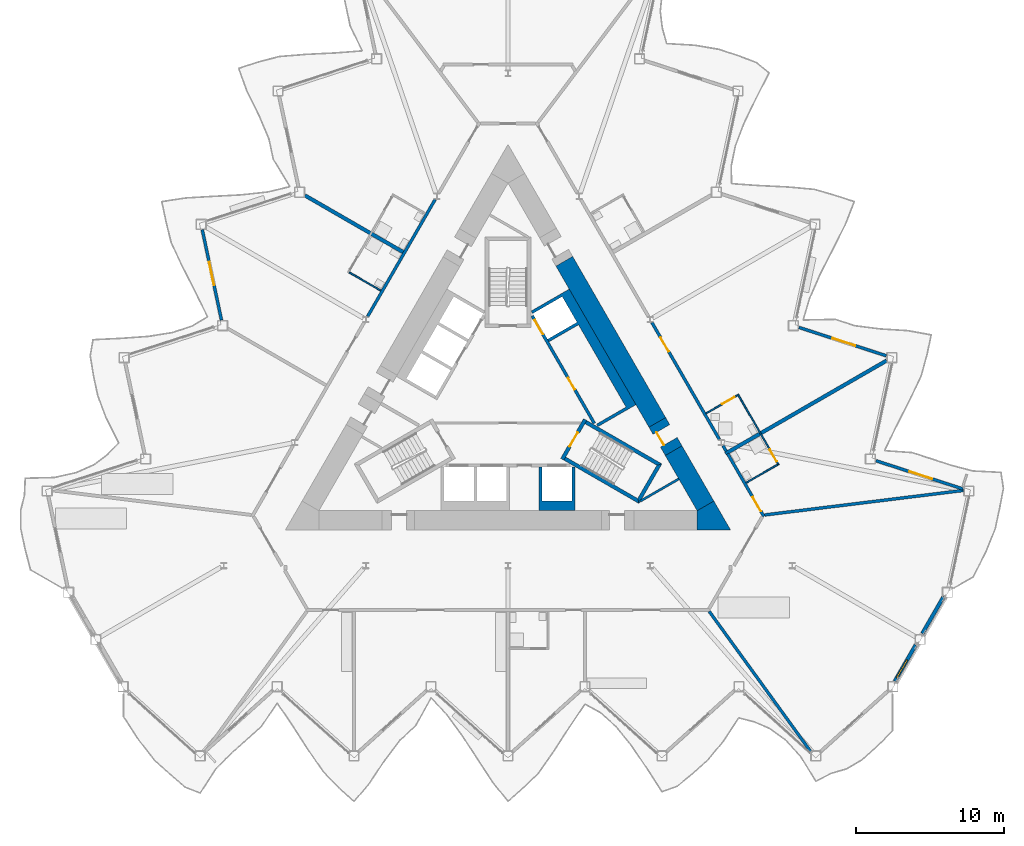
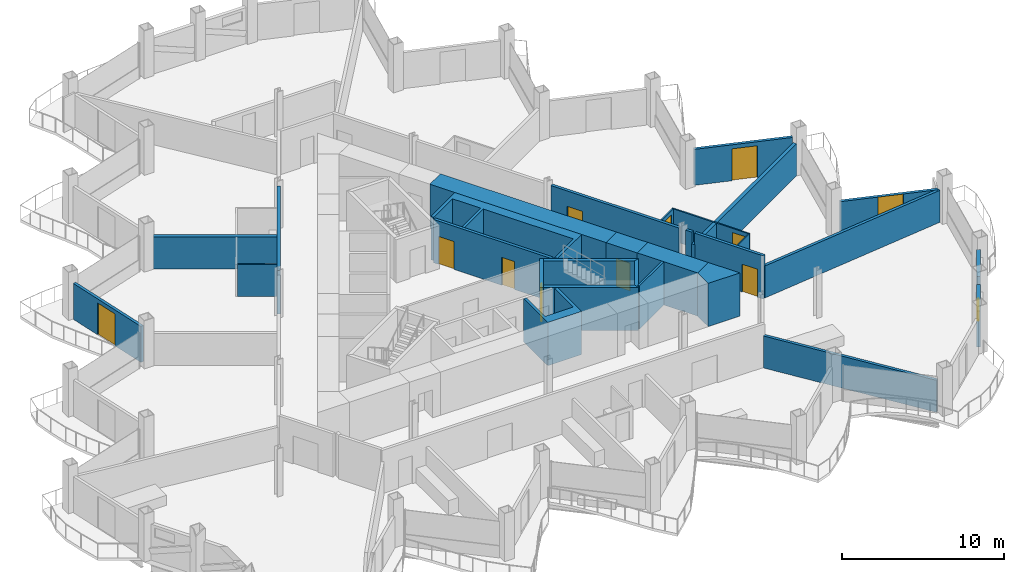
# One storey, part 13 of 24: 29 walls, 11 doors, 1 window, 12 openings.
"""IFC4 building model written with IfcOpenShell, lengths in metres."""

from ifc_helpers import new_model, si_unit, direction, frame, frame_2d, origin, place, context, subcontext, project, spatial, polyline, rectangle, outline, extrude, material, layer, layer_set, type_object, element, fill, save


model = new_model("IFC4")

# Units and contexts
model_context = context("Model", 3, precision=1e-05, world=origin(), true_north=direction((0.0, 1.0)))
body_context = subcontext(model_context, "Body", "Model", "MODEL_VIEW")
ifc_project = project(units=[si_unit("LENGTHUNIT", "METRE"), si_unit("AREAUNIT", "SQUARE_METRE"), si_unit("VOLUMEUNIT", "CUBIC_METRE"), si_unit("PLANEANGLEUNIT", "RADIAN"), si_unit("MASSUNIT", "GRAM", prefix="KILO")], contexts=[model_context])

# Site, building, storey
site_placement = place(None, origin())
site = spatial("IfcSite", under=ifc_project, at=site_placement, CompositionType="ELEMENT")
building_placement = place(site_placement, origin())
building = spatial("IfcBuilding", under=site, at=building_placement, Name="Cormorant Prow Tower", CompositionType="ELEMENT")
storey_placement = place(building_placement, frame((0.0, 0.0, 270.60009765625)))
storey = spatial("IfcBuildingStorey", under=building, at=storey_placement, Name="L61", CompositionType="ELEMENT", Elevation=270.60009765625)

# Walls
ifc_material_1 = material(Name="Gypsum board partition")
ifc_layer_1 = layer(ifc_material_1, 0.14990234375)
ifc_layer_set_1 = layer_set([ifc_layer_1], Name="Gypsum board partition")
wall_type_1 = type_object("IfcWallType", Name="Core partition 150", PredefinedType="PARTITIONING", material=ifc_layer_set_1)
wall_1_placement = place(storey_placement, frame((11.511474609375, -5.2177734375, 0.0), z_axis=(0.0, 0.0, 1.0), x_axis=(-0.866045649925, -0.499964931016, 0.0)))
element("IfcWall", 1, at=wall_1_placement, inside=storey, type_object=wall_type_1, Name="Service room partition", PredefinedType="PARTITIONING", context=body_context, shape_type="SweptSolid", body=[
    extrude(rectangle(XDim=2.992431640625, YDim=0.14990234375, at=frame_2d((1.49609375, 0.0))), origin(), (0.0, 0.0, 1.0), 3.25),
])
ifc_material_2 = material(Name="Concrete 8000 psi", Category="concrete")
ifc_layer_2 = layer(ifc_material_2, 1.300048828125)
ifc_layer_set_2 = layer_set([ifc_layer_2], Name="Concrete 8000 psi")
wall_type_2 = type_object("IfcWallType", Name="Core shear wall 1300", PredefinedType="SHEAR", material=ifc_layer_set_2)
wall_2_placement = place(storey_placement, frame((10.0625, -1.408203125, 0.0), z_axis=(0.0, 0.0, 1.0), x_axis=(-0.500000545805, 0.866025088663, 0.0)))
element("IfcWall", 2, at=wall_2_placement, inside=storey, type_object=wall_type_2, Name="Core wall", PredefinedType="SHEAR", context=body_context, shape_type="SweptSolid", body=[
    extrude(rectangle(XDim=12.5390625, YDim=1.300048828125, at=frame_2d((6.26953125, 0.0))), origin(), (0.0, 0.0, 1.0), 3.25),
])
wall_3_placement = place(storey_placement, frame((13.311279296875, -7.035400390625, 0.0), z_axis=(0.0, 0.0, 1.0), x_axis=(-0.500012574659, 0.86601814368, 0.0)))
element("IfcWall", 3, at=wall_3_placement, inside=storey, type_object=wall_type_2, Name="Core wall", PredefinedType="SHEAR", context=body_context, shape_type="SweptSolid", body=[
    extrude(rectangle(XDim=4.2978515625, YDim=1.300048828125, at=frame_2d((2.14892578125, 0.0))), origin(), (0.0, 0.0, 1.0), 3.25),
])
wall_4_placement = place(storey_placement, origin())
element("IfcWall", 4, at=wall_4_placement, inside=storey, type_object=wall_type_2, Name="Core wall corner", PredefinedType="SHEAR", context=body_context, shape_type="SweptSolid", body=[
    extrude(outline(polyline([(12.748291015625, -8.660400390625), (12.748291015625, -7.3603515625), (13.874267578125, -6.710205078125), (15.0, -8.660400390625), (12.748291015625, -8.660400390625)])), origin(), (0.0, 0.0, 1.0), 3.25),
])

# Wall, opening, door
wall_5_placement = place(storey_placement, frame((11.16259765625, -3.3134765625, 0.0), z_axis=(0.0, 0.0, 1.0), x_axis=(-0.50002983664, 0.866008176907, 0.0)))
wall_5 = element("IfcWall", 5, at=wall_5_placement, inside=storey, type_object=wall_type_2, Name="Core wall door panel", PredefinedType="SHEAR", context=body_context, shape_type="SweptSolid", body=[
    extrude(rectangle(XDim=2.199951171875, YDim=1.300048828125, at=frame_2d((1.10009765625, 0.0))), origin(), (0.0, 0.0, 1.0), 3.25),
])
opening_1_placement = place(wall_5_placement, frame((0.64990234375, 0.0, 0.0)))
opening_1 = element("IfcOpeningElement", 6, at=opening_1_placement, cuts=wall_5, Name="Opening L61-C15", PredefinedType="OPENING", context=body_context, shape_type="SweptSolid", body=[
    extrude(rectangle(XDim=1.0, YDim=2.10009765625, at=frame_2d((0.5, 1.050048828125))), frame((0.0, 0.659912109375, 0.0), z_axis=(0.0, -1.0, 0.0), x_axis=(1.0, 0.0, 0.0)), (0.0, 0.0, 1.0), 1.320068359375),
])
ifc_material_3 = material(Name="Painted steel", Category="steel")
door_type_1 = type_object("IfcDoorType", Name="Service door 1000x2100", OperationType="NOTDEFINED", PredefinedType="DOOR", material=ifc_material_3)
door_1_placement = place(opening_1_placement, origin())
door_1 = element("IfcDoor", 7, at=door_1_placement, inside=storey, type_object=door_type_1, Name="Core door, Electrical room", OperationType="SINGLE_SWING_LEFT", OverallHeight=2.10009765625, OverallWidth=1.0, PredefinedType="DOOR", context=body_context, shape_type="SweptSolid", body=[
    extrude(rectangle(XDim=1.0, YDim=2.10009765625, at=frame_2d((0.5, 1.050048828125))), frame((0.0, 0.40478515625, 0.0), z_axis=(0.0, -1.0, 0.0), x_axis=(1.0, 0.0, 0.0)), (0.0, 0.0, 1.0), 0.050048828125),
])
fill(opening_1, door_1)

ifc_material_4 = material(Name="Gypsum board corridor wall")
ifc_layer_3 = layer(ifc_material_4, 0.199951171875)
ifc_layer_set_3 = layer_set([ifc_layer_3], Name="Gypsum board corridor wall")
wall_type_3 = type_object("IfcWallType", Name="Corridor wall 200", PredefinedType="PARTITIONING", material=ifc_layer_set_3)
wall_6_placement = place(storey_placement, frame((9.699462890625, 5.320556640625, 0.0), z_axis=(0.0, 0.0, 1.0), x_axis=(0.49998193945, -0.866035830797, 0.0)))
wall_6 = element("IfcWall", 8, at=wall_6_placement, inside=storey, type_object=wall_type_3, Name="Corridor wall", PredefinedType="PARTITIONING", context=body_context, shape_type="SweptSolid", body=[
    extrude(rectangle(XDim=9.094482421875, YDim=0.199951171875, at=frame_2d((4.54736328125, 0.0))), origin(), (0.0, 0.0, 1.0), 3.25),
])
opening_2_placement = place(wall_6_placement, frame((1.16162109375, 0.0, 0.0)))
opening_2 = element("IfcOpeningElement", 9, at=opening_2_placement, cuts=wall_6, Name="Opening L61-F09", PredefinedType="OPENING", context=body_context, shape_type="SweptSolid", body=[
    extrude(rectangle(XDim=1.10009765625, YDim=2.10009765625, at=frame_2d((0.550048828125, 1.050048828125))), frame((0.0, 0.10986328125, 0.0), z_axis=(0.0, -1.0, 0.0), x_axis=(1.0, 0.0, 0.0)), (0.0, 0.0, 1.0), 0.219970703125),
])
ifc_material_5 = material(Name="Timber door leaf", Category="wood")
door_type_2 = type_object("IfcDoorType", Name="Suite entrance door 1100x2100", OperationType="NOTDEFINED", PredefinedType="DOOR", material=ifc_material_5)
door_2_placement = place(opening_2_placement, origin())
door_2 = element("IfcDoor", 10, at=door_2_placement, inside=storey, type_object=door_type_2, Name="Executive suite bedroom door", OperationType="SINGLE_SWING_LEFT", OverallHeight=2.10009765625, OverallWidth=1.10009765625, PredefinedType="DOOR", context=body_context, shape_type="SweptSolid", body=[
    extrude(rectangle(XDim=1.10009765625, YDim=2.10009765625, at=frame_2d((0.550048828125, 1.050048828125))), frame((0.0, 0.02490234375, 0.0), z_axis=(0.0, -1.0, 0.0), x_axis=(1.0, 0.0, 0.0)), (0.0, 0.0, 1.0), 0.050048828125),
])
fill(opening_2, door_2)

# Wall
wall_7_placement = place(storey_placement, frame((-9.45751953125, 5.739501953125, 0.0), z_axis=(0.0, 0.0, 1.0), x_axis=(0.50000207303, 0.866024206917, 0.0)))
element("IfcWall", 11, at=wall_7_placement, inside=storey, type_object=wall_type_3, Name="Corridor wall", PredefinedType="PARTITIONING", context=body_context, shape_type="SweptSolid", body=[
    extrude(rectangle(XDim=9.0947265625, YDim=0.199951171875, at=frame_2d((4.54736328125, 0.0))), origin(), (0.0, 0.0, 1.0), 3.25),
])

# Wall, opening, door
wall_8_placement = place(storey_placement, frame((14.8056640625, -3.523681640625, 0.0), z_axis=(0.0, 0.0, 1.0), x_axis=(0.499999813892, -0.866025511234, 0.0)))
wall_8 = element("IfcWall", 12, at=wall_8_placement, inside=storey, type_object=wall_type_3, Name="Corridor wall", PredefinedType="PARTITIONING", context=body_context, shape_type="SweptSolid", body=[
    extrude(rectangle(XDim=4.87646484375, YDim=0.199951171875, at=frame_2d((2.438232421875, 0.0))), origin(), (0.0, 0.0, 1.0), 3.25),
])
opening_3_placement = place(wall_8_placement, frame((3.369873046875, 0.0, 0.0)))
opening_3 = element("IfcOpeningElement", 13, at=opening_3_placement, cuts=wall_8, Name="Opening L61-F07", PredefinedType="OPENING", context=body_context, shape_type="SweptSolid", body=[
    extrude(rectangle(XDim=1.10009765625, YDim=2.10009765625, at=frame_2d((0.550048828125, 1.050048828125))), frame((0.0, 0.10986328125, 0.0), z_axis=(0.0, -1.0, 0.0), x_axis=(1.0, 0.0, 0.0)), (0.0, 0.0, 1.0), 0.219970703125),
])
door_3_placement = place(opening_3_placement, origin())
door_3 = element("IfcDoor", 14, at=door_3_placement, inside=storey, type_object=door_type_2, Name="Junior suite door", OperationType="SINGLE_SWING_RIGHT", OverallHeight=2.10009765625, OverallWidth=1.10009765625, PredefinedType="DOOR", context=body_context, shape_type="SweptSolid", body=[
    extrude(rectangle(XDim=1.10009765625, YDim=2.10009765625, at=frame_2d((0.550048828125, 1.050048828125))), frame((0.0, 0.02490234375, 0.0), z_axis=(0.0, -1.0, 0.0), x_axis=(1.0, 0.0, 0.0)), (0.0, 0.0, 1.0), 0.050048828125),
])
fill(opening_3, door_3)

# Walls
wall_9_placement = place(storey_placement, frame((14.488525390625, -2.974609375, 0.0), z_axis=(0.0, 0.0, 1.0), x_axis=(0.500483236879, -0.865746227022, 0.0)))
element("IfcWall", 15, at=wall_9_placement, inside=storey, type_object=wall_type_3, Name="Corridor wall", PredefinedType="PARTITIONING", context=body_context, shape_type="SweptSolid", body=[
    extrude(rectangle(XDim=0.43505859375, YDim=0.199951171875, at=frame_2d((0.217529296875, 0.0))), origin(), (0.0, 0.0, 1.0), 3.25),
])
ifc_material_6 = material(Name="Gypsum board demising wall")
ifc_layer_4 = layer(ifc_material_6, 0.199951171875)
ifc_layer_set_4 = layer_set([ifc_layer_4], Name="Gypsum board demising wall")
wall_type_4 = type_object("IfcWallType", Name="Demising wall 200", PredefinedType="PARTITIONING", material=ifc_layer_set_4)
wall_10_placement = place(storey_placement, frame((17.293212890625, -7.64794921875, 0.0), z_axis=(0.0, 0.0, 1.0), x_axis=(0.992463280008, 0.122542391993, 0.0)))
element("IfcWall", 16, at=wall_10_placement, inside=storey, type_object=wall_type_4, Name="Demising wall", PredefinedType="PARTITIONING", context=body_context, shape_type="SweptSolid", body=[
    extrude(rectangle(XDim=13.51171875, YDim=0.199951171875, at=frame_2d((6.755859375, 0.0))), origin(), (0.0, 0.0, 1.0), 2.404052734375),
])
wall_11_placement = place(storey_placement, frame((13.557373046875, -14.141357421875, 0.0), z_axis=(0.0, 0.0, 1.0), x_axis=(0.586363418846, -0.810048110324, 0.0)))
element("IfcWall", 17, at=wall_11_placement, inside=storey, type_object=wall_type_4, Name="Demising wall", PredefinedType="PARTITIONING", context=body_context, shape_type="SweptSolid", body=[
    extrude(rectangle(XDim=11.65771484375, YDim=0.199951171875, at=frame_2d((5.828857421875, 0.0))), origin(), (0.0, 0.0, 1.0), 2.404052734375),
])

# Wall, opening, door
ifc_material_7 = material(Name="Gypsum board partition")
ifc_layer_5 = layer(ifc_material_7, 0.10009765625)
ifc_layer_set_5 = layer_set([ifc_layer_5], Name="Gypsum board partition")
wall_type_5 = type_object("IfcWallType", Name="Internal partition 100", PredefinedType="PARTITIONING", material=ifc_layer_set_5)
wall_12_placement = place(storey_placement, frame((15.490234375, 0.490478515625, 0.0), z_axis=(0.0, 0.0, 1.0), x_axis=(0.499996545922, -0.866027397988, 0.0)))
wall_12 = element("IfcWall", 18, at=wall_12_placement, inside=storey, type_object=wall_type_5, Name="Internal partition", PredefinedType="PARTITIONING", context=body_context, shape_type="SweptSolid", body=[
    extrude(rectangle(XDim=5.5, YDim=0.10009765625, at=frame_2d((2.75, 0.0))), origin(), (0.0, 0.0, 1.0), 2.404052734375),
])
opening_4_placement = place(wall_12_placement, frame((4.300048828125, 0.0, 0.0)))
opening_4 = element("IfcOpeningElement", 19, at=opening_4_placement, cuts=wall_12, Name="Opening L61-F08", PredefinedType="OPENING", context=body_context, shape_type="SweptSolid", body=[
    extrude(rectangle(XDim=0.949951171875, YDim=2.10009765625, at=frame_2d((0.47509765625, 1.050048828125))), frame((0.0, 0.06005859375, 0.0), z_axis=(0.0, -1.0, 0.0), x_axis=(1.0, 0.0, 0.0)), (0.0, 0.0, 1.0), 0.1201171875),
])
ifc_material_8 = material(Name="Timber door leaf", Category="wood")
door_type_3 = type_object("IfcDoorType", Name="Bathroom door 950x2100", OperationType="NOTDEFINED", PredefinedType="DOOR", material=ifc_material_8)
door_4_placement = place(opening_4_placement, origin())
door_4 = element("IfcDoor", 20, at=door_4_placement, inside=storey, type_object=door_type_3, Name="Junior suite door", OperationType="SINGLE_SWING_RIGHT", OverallHeight=2.10009765625, OverallWidth=0.949951171875, PredefinedType="DOOR", context=body_context, shape_type="SweptSolid", body=[
    extrude(rectangle(XDim=0.949951171875, YDim=2.10009765625, at=frame_2d((0.47509765625, 1.050048828125))), frame((0.0, 0.02490234375, 0.0), z_axis=(0.0, -1.0, 0.0), x_axis=(1.0, 0.0, 0.0)), (0.0, 0.0, 1.0), 0.050048828125),
])
fill(opening_4, door_4)

# Wall
wall_13_placement = place(storey_placement, frame((-10.694091796875, 8.697509765625, 0.0), z_axis=(0.0, 0.0, 1.0), x_axis=(0.866032905446, -0.499987006516, 0.0)))
element("IfcWall", 21, at=wall_13_placement, inside=storey, type_object=wall_type_5, Name="Internal partition", PredefinedType="PARTITIONING", context=body_context, shape_type="SweptSolid", body=[
    extrude(rectangle(XDim=2.44970703125, YDim=0.10009765625, at=frame_2d((1.224853515625, 0.0))), origin(), (0.0, 0.0, 1.0), 2.404052734375),
])

# Wall, opening, door
wall_14_placement = place(storey_placement, frame((13.350341796875, -0.802734375, 0.0), z_axis=(0.0, 0.0, 1.0), x_axis=(0.866032905446, 0.499987006516, 0.0)))
wall_14 = element("IfcWall", 22, at=wall_14_placement, inside=storey, type_object=wall_type_5, Name="Internal partition", PredefinedType="PARTITIONING", context=body_context, shape_type="SweptSolid", body=[
    extrude(rectangle(XDim=2.44970703125, YDim=0.10009765625, at=frame_2d((1.224853515625, 0.0))), origin(), (0.0, 0.0, 1.0), 2.404052734375),
])
opening_5_placement = place(wall_14_placement, frame((1.25, 0.0, 0.0)))
opening_5 = element("IfcOpeningElement", 23, at=opening_5_placement, cuts=wall_14, Name="Opening L61-F10", PredefinedType="OPENING", context=body_context, shape_type="SweptSolid", body=[
    extrude(rectangle(XDim=0.949951171875, YDim=2.10009765625, at=frame_2d((0.47509765625, 1.050048828125))), frame((0.0, 0.06005859375, 0.0), z_axis=(0.0, -1.0, 0.0), x_axis=(1.0, 0.0, 0.0)), (0.0, 0.0, 1.0), 0.1201171875),
])
door_5_placement = place(opening_5_placement, origin())
door_5 = element("IfcDoor", 24, at=door_5_placement, inside=storey, type_object=door_type_3, Name="Executive suite bedroom door", OperationType="SINGLE_SWING_RIGHT", OverallHeight=2.10009765625, OverallWidth=0.949951171875, PredefinedType="DOOR", context=body_context, shape_type="SweptSolid", body=[
    extrude(rectangle(XDim=0.949951171875, YDim=2.10009765625, at=frame_2d((0.47509765625, 1.050048828125))), frame((0.0, 0.02490234375, 0.0), z_axis=(0.0, -1.0, 0.0), x_axis=(1.0, 0.0, 0.0)), (0.0, 0.0, 1.0), 0.050048828125),
])
fill(opening_5, door_5)

# Wall
wall_15_placement = place(storey_placement, frame((16.05029296875, -5.4794921875, 0.0), z_axis=(0.0, 0.0, 1.0), x_axis=(0.866014668023, 0.500018594424, 0.0)))
element("IfcWall", 25, at=wall_15_placement, inside=storey, type_object=wall_type_5, Name="Internal partition", PredefinedType="PARTITIONING", context=body_context, shape_type="SweptSolid", body=[
    extrude(rectangle(XDim=2.4501953125, YDim=0.10009765625, at=frame_2d((1.22509765625, 0.0))), origin(), (0.0, 0.0, 1.0), 2.404052734375),
])

# Wall, openings, doors
ifc_material_9 = material(Name="Concrete 5000 psi", Category="concrete")
ifc_layer_6 = layer(ifc_material_9, 0.199951171875)
ifc_layer_set_6 = layer_set([ifc_layer_6], Name="Concrete 5000 psi")
wall_type_6 = type_object("IfcWallType", Name="Lift lobby wall 200", PredefinedType="SOLIDWALL", material=ifc_layer_set_6)
wall_16_placement = place(storey_placement, frame((5.817138671875, -1.4755859375, 0.0), z_axis=(0.0, 0.0, 1.0), x_axis=(-0.500002616675, 0.866023893041, 0.0)))
wall_16 = element("IfcWall", 26, at=wall_16_placement, inside=storey, type_object=wall_type_6, Name="Lift lobby wall, ENE block", PredefinedType="SOLIDWALL", context=body_context, shape_type="SweptSolid", body=[
    extrude(rectangle(XDim=8.373046875, YDim=0.199951171875, at=frame_2d((4.1865234375, 0.0))), origin(), (0.0, 0.0, 1.0), 3.25),
])
opening_6_placement = place(wall_16_placement, frame((2.63671875, 0.0, 0.0)))
opening_6 = element("IfcOpeningElement", 27, at=opening_6_placement, cuts=wall_16, Name="Opening L61-C05", PredefinedType="OPENING", context=body_context, shape_type="SweptSolid", body=[
    extrude(rectangle(XDim=0.89990234375, YDim=2.10009765625, at=frame_2d((0.449951171875, 1.050048828125))), frame((0.0, 0.10986328125, 0.0), z_axis=(0.0, -1.0, 0.0), x_axis=(1.0, 0.0, 0.0)), (0.0, 0.0, 1.0), 0.219970703125),
])
opening_7_placement = place(wall_16_placement, frame((6.9365234375, 0.0, 0.0)))
opening_7 = element("IfcOpeningElement", 28, at=opening_7_placement, cuts=wall_16, Name="Opening L61-C06", PredefinedType="OPENING", context=body_context, shape_type="SweptSolid", body=[
    extrude(rectangle(XDim=1.10009765625, YDim=2.10009765625, at=frame_2d((0.550048828125, 1.050048828125))), frame((0.0, 0.10986328125, 0.0), z_axis=(0.0, -1.0, 0.0), x_axis=(1.0, 0.0, 0.0)), (0.0, 0.0, 1.0), 0.219970703125),
])
ifc_material_10 = material(Name="Painted steel", Category="steel")
door_type_4 = type_object("IfcDoorType", Name="Lift landing door 1100x2100", OperationType="SLIDING_TO_LEFT", PredefinedType="DOOR", material=ifc_material_10)
door_6_placement = place(opening_7_placement, origin())
door_6 = element("IfcDoor", 29, at=door_6_placement, inside=storey, type_object=door_type_4, Name="Landing door MR1", OperationType="SLIDING_TO_LEFT", OverallHeight=2.10009765625, OverallWidth=1.10009765625, PredefinedType="DOOR", context=body_context, shape_type="SweptSolid", body=[
    extrude(rectangle(XDim=1.10009765625, YDim=2.10009765625, at=frame_2d((0.550048828125, 1.050048828125))), frame((0.0, 0.02490234375, 0.0), z_axis=(0.0, -1.0, 0.0), x_axis=(1.0, 0.0, 0.0)), (0.0, 0.0, 1.0), 0.050048828125),
])
fill(opening_7, door_6)
ifc_material_11 = material(Name="Painted steel", Category="steel")
door_type_5 = type_object("IfcDoorType", Name="Service door 900x2100", OperationType="NOTDEFINED", PredefinedType="DOOR", material=ifc_material_11)
door_7_placement = place(opening_6_placement, origin())
door_7 = element("IfcDoor", 30, at=door_7_placement, inside=storey, type_object=door_type_5, Name="Service door, Housekeeping store", OperationType="SINGLE_SWING_RIGHT", OverallHeight=2.10009765625, OverallWidth=0.89990234375, PredefinedType="DOOR", context=body_context, shape_type="SweptSolid", body=[
    extrude(rectangle(XDim=0.89990234375, YDim=2.10009765625, at=frame_2d((0.449951171875, 1.050048828125))), frame((0.0, 0.02490234375, 0.0), z_axis=(0.0, -1.0, 0.0), x_axis=(1.0, 0.0, 0.0)), (0.0, 0.0, 1.0), 0.050048828125),
])
fill(opening_6, door_7)

# Walls
ifc_material_12 = material(Name="Concrete 8000 psi", Category="concrete")
ifc_layer_7 = layer(ifc_material_12, 0.199951171875)
ifc_layer_set_7 = layer_set([ifc_layer_7], Name="Concrete 8000 psi")
wall_type_7 = type_object("IfcWallType", Name="Lift shaft wall 200", PredefinedType="SHEAR", material=ifc_layer_set_7)
wall_17_placement = place(storey_placement, origin())
element("IfcWall", 31, at=wall_17_placement, inside=storey, type_object=wall_type_7, Name="Lift shaft walls, S block", PredefinedType="SHEAR", context=body_context, shape_type="SweptSolid", body=[
    extrude(outline(polyline([(2.10009765625, -7.3603515625), (2.10009765625, -4.39990234375), (2.300048828125, -4.39990234375), (2.300048828125, -6.699951171875), (4.300048828125, -6.699951171875), (4.300048828125, -4.39990234375), (4.5, -4.39990234375), (4.5, -7.3603515625), (2.10009765625, -7.3603515625)])), origin(), (0.0, 0.0, 1.0), 3.25),
])
wall_18_placement = place(storey_placement, origin())
element("IfcWall", 32, at=wall_18_placement, inside=storey, type_object=wall_type_7, Name="Lift shaft walls, ENE block", PredefinedType="SHEAR", context=body_context, shape_type="SweptSolid", body=[
    extrude(outline(polyline([(4.124267578125, 7.5771484375), (8.624267578125, -0.217041015625), (8.230712890625, -0.444091796875), (6.060546875, -1.697021484375), (5.96044921875, -1.52392578125), (7.952392578125, -0.373779296875), (4.75244140625, 5.168701171875), (2.760498046875, 4.018798828125), (2.660400390625, 4.19189453125), (4.65234375, 5.341796875), (3.65234375, 7.073974609375), (1.660400390625, 5.923828125), (1.560546875, 6.09716796875), (3.730712890625, 7.35009765625), (4.124267578125, 7.5771484375)])), origin(), (0.0, 0.0, 1.0), 3.25),
])
ifc_material_13 = material(Name="Concrete 8000 psi", Category="concrete")
ifc_layer_8 = layer(ifc_material_13, 0.25)
ifc_layer_set_8 = layer_set([ifc_layer_8], Name="Concrete 8000 psi")
wall_type_8 = type_object("IfcWallType", Name="Stair wall 250", PredefinedType="SHEAR", material=ifc_layer_set_8)
wall_19_placement = place(storey_placement, origin())
element("IfcWall", 33, at=wall_19_placement, inside=storey, type_object=wall_type_8, Name="Stair ST2 enclosure wall (flank)", PredefinedType="SHEAR", context=body_context, shape_type="SweptSolid", body=[
    extrude(outline(polyline([(3.76318359375, -3.95556640625), (8.82958984375, -6.880615234375), (8.738037109375, -6.5390625), (3.88818359375, -3.739013671875), (3.76318359375, -3.95556640625)])), origin(), (0.0, 0.0, 1.0), 3.25),
])
wall_20_placement = place(storey_placement, origin())
element("IfcWall", 34, at=wall_20_placement, inside=storey, type_object=wall_type_8, Name="Stair ST2 enclosure wall (end)", PredefinedType="SHEAR", context=body_context, shape_type="SweptSolid", body=[
    extrude(outline(polyline([(8.82958984375, -6.880615234375), (10.37353515625, -4.206298828125), (10.031982421875, -4.2978515625), (8.738037109375, -6.5390625), (8.82958984375, -6.880615234375)])), origin(), (0.0, 0.0, 1.0), 3.25),
])
wall_21_placement = place(storey_placement, origin())
element("IfcWall", 35, at=wall_21_placement, inside=storey, type_object=wall_type_8, Name="Stair ST2 enclosure wall (flank)", PredefinedType="SHEAR", context=body_context, shape_type="SweptSolid", body=[
    extrude(outline(polyline([(10.031982421875, -4.2978515625), (10.37353515625, -4.206298828125), (5.30712890625, -1.28125), (5.18212890625, -1.497802734375), (10.031982421875, -4.2978515625)])), origin(), (0.0, 0.0, 1.0), 3.25),
])

# Wall, opening, door
wall_22_placement = place(storey_placement, frame((3.655029296875, -3.89306640625, 0.0), z_axis=(0.0, 0.0, 1.0), x_axis=(0.499982516597, 0.866035497597, 0.0)))
wall_22 = element("IfcWall", 36, at=wall_22_placement, inside=storey, type_object=wall_type_8, Name="Stair ST2 door wall", PredefinedType="SHEAR", context=body_context, shape_type="SweptSolid", body=[
    extrude(rectangle(XDim=3.087890625, YDim=0.25, at=frame_2d((1.5439453125, 0.0))), origin(), (0.0, 0.0, 1.0), 3.25),
])
opening_8_placement = place(wall_22_placement, frame((0.993896484375, 0.0, 0.0)))
opening_8 = element("IfcOpeningElement", 37, at=opening_8_placement, cuts=wall_22, Name="Opening L61-C11", PredefinedType="OPENING", context=body_context, shape_type="SweptSolid", body=[
    extrude(rectangle(XDim=1.10009765625, YDim=2.10009765625, at=frame_2d((0.550048828125, 1.050048828125))), frame((0.0, 0.135009765625, 0.0), z_axis=(0.0, -1.0, 0.0), x_axis=(1.0, 0.0, 0.0)), (0.0, 0.0, 1.0), 0.27001953125),
])
ifc_material_14 = material(Name="Painted steel", Category="steel")
door_type_6 = type_object("IfcDoorType", Name="Stair door 1100x2100", OperationType="NOTDEFINED", PredefinedType="DOOR", material=ifc_material_14)
door_8_placement = place(opening_8_placement, origin())
door_8 = element("IfcDoor", 38, at=door_8_placement, inside=storey, type_object=door_type_6, Name="Stair ST2 door", OperationType="SINGLE_SWING_RIGHT", OverallHeight=2.10009765625, OverallWidth=1.10009765625, PredefinedType="DOOR", context=body_context, shape_type="SweptSolid", body=[
    extrude(rectangle(XDim=1.10009765625, YDim=2.10009765625, at=frame_2d((0.550048828125, 1.050048828125))), frame((0.0, 0.02490234375, 0.0), z_axis=(0.0, -1.0, 0.0), x_axis=(1.0, 0.0, 0.0)), (0.0, 0.0, 1.0), 0.050048828125),
])
fill(opening_8, door_8)

# Walls
ifc_material_15 = material(Name="Acoustic gypsum party wall")
ifc_layer_9 = layer(ifc_material_15, 0.25)
ifc_layer_set_9 = layer_set([ifc_layer_9], Name="Acoustic gypsum party wall")
wall_type_9 = type_object("IfcWallType", Name="Suite party wall 250", PredefinedType="PARTITIONING", material=ifc_layer_set_9)
wall_23_placement = place(storey_placement, frame((14.655517578125, -3.513427734375, 0.0), z_axis=(0.0, 0.0, 1.0), x_axis=(0.866021525405, 0.50000671749, 0.0)))
element("IfcWall", 39, at=wall_23_placement, inside=storey, type_object=wall_type_9, Name="Suite party wall", PredefinedType="PARTITIONING", context=body_context, shape_type="SweptSolid", body=[
    extrude(rectangle(XDim=12.539306640625, YDim=0.25, at=frame_2d((6.26953125, 0.0))), origin(), (0.0, 0.0, 1.0), 2.404052734375),
])
wall_24_placement = place(storey_placement, frame((-13.68701171875, 13.889404296875, 0.0), z_axis=(0.0, 0.0, 1.0), x_axis=(0.866041332704, -0.499972409287, 0.0)))
element("IfcWall", 40, at=wall_24_placement, inside=storey, type_object=wall_type_9, Name="Suite party wall", PredefinedType="PARTITIONING", context=body_context, shape_type="SweptSolid", body=[
    extrude(rectangle(XDim=7.6376953125, YDim=0.25, at=frame_2d((3.81884765625, 0.0))), origin(), (0.0, 0.0, 1.0), 2.404052734375),
])

# Wall, opening, window
ifc_material_16 = material(Name="Terracotta", Category="masonry")
ifc_layer_10 = layer(ifc_material_16, 0.25)
ifc_layer_set_10 = layer_set([ifc_layer_10], Name="Terracotta")
wall_type_10 = type_object("IfcWallType", Name="Terracotta bay wall 250", PredefinedType="SOLIDWALL", material=ifc_layer_set_10)
wall_25_placement = place(storey_placement, frame((26.068359375, -18.85009765625, 0.0), z_axis=(0.0, 0.0, 1.0), x_axis=(0.49996263964, 0.866046972724, 0.0)))
wall_25 = element("IfcWall", 41, at=wall_25_placement, inside=storey, type_object=wall_type_10, Name="Terracotta bay wall ESE00", PredefinedType="SOLIDWALL", context=body_context, shape_type="SweptSolid", body=[
    extrude(rectangle(XDim=2.815673828125, YDim=0.25, at=frame_2d((1.40771484375, 0.0))), origin(), (0.0, 0.0, 1.0), 2.70068359375),
])
opening_9_placement = place(wall_25_placement, frame((0.25, 0.0, 1.800048828125)))
opening_9 = element("IfcOpeningElement", 42, at=opening_9_placement, cuts=wall_25, Name="Opening WN4", PredefinedType="OPENING", context=body_context, shape_type="SweptSolid", body=[
    extrude(rectangle(XDim=1.39990234375, YDim=0.699951171875, at=frame_2d((0.699951171875, 0.35009765625))), frame((0.0, 0.135009765625, 0.0), z_axis=(0.0, -1.0, 0.0), x_axis=(1.0, 0.0, 0.0)), (0.0, 0.0, 1.0), 0.27001953125),
])
ifc_material_17 = material(Name="Aluminium 6063-T6", Category="aluminium")
window_type = type_object("IfcWindowType", Name="Corner bay window 1400x700", PartitioningType="SINGLE_PANEL", PredefinedType="WINDOW", material=ifc_material_17)
window_placement = place(opening_9_placement, origin())
window = element("IfcWindow", 43, at=window_placement, inside=storey, type_object=window_type, Name="Corner bay window ESE00", OverallHeight=0.699951171875, OverallWidth=1.39990234375, PartitioningType="SINGLE_PANEL", PredefinedType="WINDOW", context=body_context, shape_type="SweptSolid", body=[
    extrude(rectangle(XDim=1.39990234375, YDim=0.699951171875, at=frame_2d((0.699951171875, 0.35009765625))), frame((0.0, 0.030029296875, 0.0), z_axis=(0.0, -1.0, 0.0), x_axis=(1.0, 0.0, 0.0)), (0.0, 0.0, 1.0), 0.06005859375),
])
fill(opening_9, window)

# Wall
wall_26_placement = place(storey_placement, frame((27.923583984375, -15.63671875, 0.0), z_axis=(0.0, 0.0, 1.0), x_axis=(0.499989935246, 0.866031214595, 0.0)))
element("IfcWall", 44, at=wall_26_placement, inside=storey, type_object=wall_type_10, Name="Terracotta bay wall ESE01", PredefinedType="SOLIDWALL", context=body_context, shape_type="SweptSolid", body=[
    extrude(rectangle(XDim=2.87060546875, YDim=0.25, at=frame_2d((1.435302734375, 0.0))), origin(), (0.0, 0.0, 1.0), 2.70068359375),
])

# Wall, opening, door
ifc_material_18 = material(Name="Terracotta", Category="masonry")
ifc_layer_11 = layer(ifc_material_18, 0.199951171875)
ifc_layer_set_11 = layer_set([ifc_layer_11], Name="Terracotta")
wall_type_11 = type_object("IfcWallType", Name="Terracotta jamb wall 200", PredefinedType="SOLIDWALL", material=ifc_layer_set_11)
wall_27_placement = place(storey_placement, frame((30.660888671875, -5.894775390625, 0.0), z_axis=(0.0, 0.0, 1.0), x_axis=(-0.9510521117, 0.309030549996, 0.0)))
wall_27 = element("IfcWall", 45, at=wall_27_placement, inside=storey, type_object=wall_type_11, Name="Terracotta jamb wall ENE01", PredefinedType="SOLIDWALL", context=body_context, shape_type="SweptSolid", body=[
    extrude(rectangle(XDim=6.16455078125, YDim=0.199951171875, at=frame_2d((3.082275390625, 0.0))), origin(), (0.0, 0.0, 1.0), 2.404052734375),
])
opening_10_placement = place(wall_27_placement, frame((2.187744140625, 0.0, 0.0)))
opening_10 = element("IfcOpeningElement", 46, at=opening_10_placement, cuts=wall_27, Name="Opening ED61.06", PredefinedType="OPENING", context=body_context, shape_type="SweptSolid", body=[
    extrude(rectangle(XDim=1.60009765625, YDim=2.39990234375, at=frame_2d((0.800048828125, 1.199951171875))), frame((0.0, 0.10986328125, 0.0), z_axis=(0.0, -1.0, 0.0), x_axis=(1.0, 0.0, 0.0)), (0.0, 0.0, 1.0), 0.219970703125),
])
ifc_material_19 = material(Name="Aluminium 6063-T6", Category="aluminium")
door_type_7 = type_object("IfcDoorType", Name="Balcony door 1600x2400", OperationType="DOUBLE_DOOR_SINGLE_SWING", PredefinedType="DOOR", material=ifc_material_19)
door_9_placement = place(opening_10_placement, origin())
door_9 = element("IfcDoor", 47, at=door_9_placement, inside=storey, type_object=door_type_7, Name="Balcony door ENE01 ED61.06", OperationType="DOUBLE_DOOR_SINGLE_SWING", OverallHeight=2.39990234375, OverallWidth=1.60009765625, PredefinedType="DOOR", context=body_context, shape_type="SweptSolid", body=[
    extrude(rectangle(XDim=1.60009765625, YDim=2.39990234375, at=frame_2d((0.800048828125, 1.199951171875))), frame((0.0, 0.02490234375, 0.0), z_axis=(0.0, -1.0, 0.0), x_axis=(1.0, 0.0, 0.0)), (0.0, 0.0, 1.0), 0.050048828125),
])
fill(opening_10, door_9)

wall_28_placement = place(storey_placement, frame((25.500244140625, 3.078369140625, 0.0), z_axis=(0.0, 0.0, 1.0), x_axis=(-0.951060426261, 0.309004960478, 0.0)))
wall_28 = element("IfcWall", 48, at=wall_28_placement, inside=storey, type_object=wall_type_11, Name="Terracotta jamb wall ENE03", PredefinedType="SOLIDWALL", context=body_context, shape_type="SweptSolid", body=[
    extrude(rectangle(XDim=6.193603515625, YDim=0.199951171875, at=frame_2d((3.0966796875, 0.0))), origin(), (0.0, 0.0, 1.0), 2.70068359375),
])
opening_11_placement = place(wall_28_placement, frame((2.21337890625, 0.0, 0.0)))
opening_11 = element("IfcOpeningElement", 49, at=opening_11_placement, cuts=wall_28, Name="Opening ED61.07", PredefinedType="OPENING", context=body_context, shape_type="SweptSolid", body=[
    extrude(rectangle(XDim=1.60009765625, YDim=2.39990234375, at=frame_2d((0.800048828125, 1.199951171875))), frame((0.0, 0.10986328125, 0.0), z_axis=(0.0, -1.0, 0.0), x_axis=(1.0, 0.0, 0.0)), (0.0, 0.0, 1.0), 0.219970703125),
])
door_10_placement = place(opening_11_placement, origin())
door_10 = element("IfcDoor", 50, at=door_10_placement, inside=storey, type_object=door_type_7, Name="Balcony door ENE03 ED61.07", OperationType="DOUBLE_DOOR_SINGLE_SWING", OverallHeight=2.39990234375, OverallWidth=1.60009765625, PredefinedType="DOOR", context=body_context, shape_type="SweptSolid", body=[
    extrude(rectangle(XDim=1.60009765625, YDim=2.39990234375, at=frame_2d((0.800048828125, 1.199951171875))), frame((0.0, 0.02490234375, 0.0), z_axis=(0.0, -1.0, 0.0), x_axis=(1.0, 0.0, 0.0)), (0.0, 0.0, 1.0), 0.050048828125),
])
fill(opening_11, door_10)

wall_29_placement = place(storey_placement, frame((-20.60400390625, 11.576904296875, 0.0), z_axis=(0.0, 0.0, 1.0), x_axis=(0.207907484076, -0.978148494895, 0.0)))
wall_29 = element("IfcWall", 51, at=wall_29_placement, inside=storey, type_object=wall_type_11, Name="Terracotta jamb wall WNW05", PredefinedType="SOLIDWALL", context=body_context, shape_type="SweptSolid", body=[
    extrude(rectangle(XDim=6.23193359375, YDim=0.199951171875, at=frame_2d((3.115966796875, 0.0))), origin(), (0.0, 0.0, 1.0), 2.70068359375),
])
opening_12_placement = place(wall_29_placement, frame((2.22705078125, 0.0, 0.0)))
opening_12 = element("IfcOpeningElement", 52, at=opening_12_placement, cuts=wall_29, Name="Opening ED61.13", PredefinedType="OPENING", context=body_context, shape_type="SweptSolid", body=[
    extrude(rectangle(XDim=1.60009765625, YDim=2.39990234375, at=frame_2d((0.800048828125, 1.199951171875))), frame((0.0, 0.10986328125, 0.0), z_axis=(0.0, -1.0, 0.0), x_axis=(1.0, 0.0, 0.0)), (0.0, 0.0, 1.0), 0.219970703125),
])
door_11_placement = place(opening_12_placement, origin())
door_11 = element("IfcDoor", 53, at=door_11_placement, inside=storey, type_object=door_type_7, Name="Balcony door WNW05 ED61.13", OperationType="DOUBLE_DOOR_SINGLE_SWING", OverallHeight=2.39990234375, OverallWidth=1.60009765625, PredefinedType="DOOR", context=body_context, shape_type="SweptSolid", body=[
    extrude(rectangle(XDim=1.60009765625, YDim=2.39990234375, at=frame_2d((0.800048828125, 1.199951171875))), frame((0.0, 0.02490234375, 0.0), z_axis=(0.0, -1.0, 0.0), x_axis=(1.0, 0.0, 0.0)), (0.0, 0.0, 1.0), 0.050048828125),
])
fill(opening_12, door_11)

save(model, "model.ifc")
